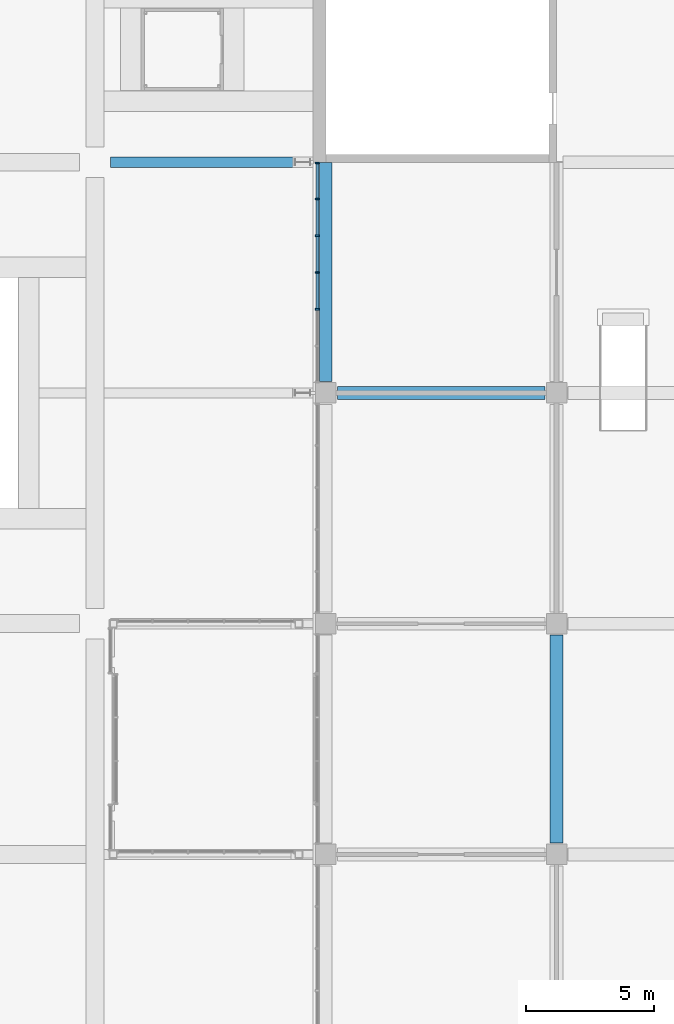
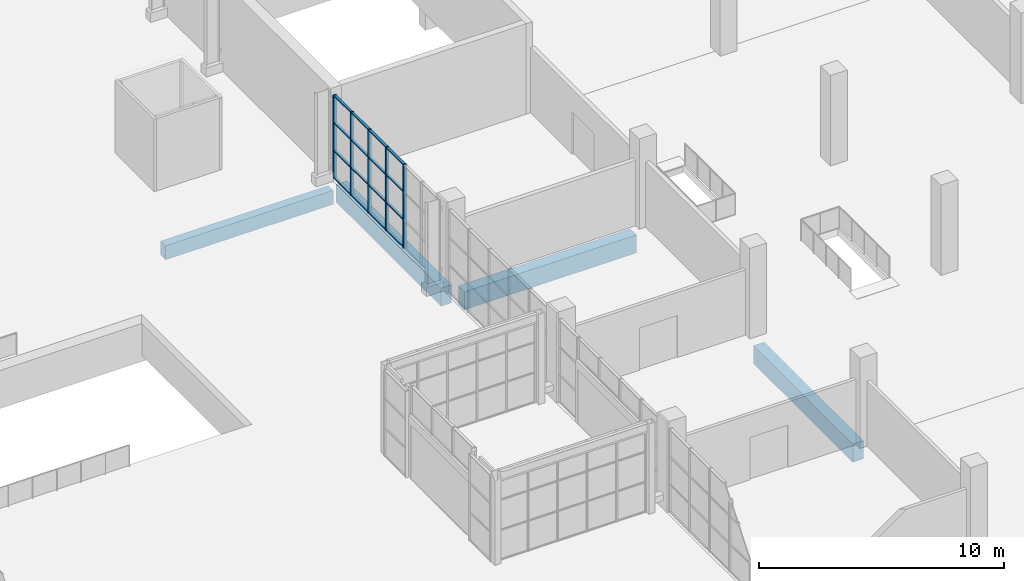
# One storey, part 41 of 168: 21 members, 4 beams, 1 element without a shape of its own.
"""IFC4 building model written with IfcOpenShell, lengths in metres."""

from ifc_helpers import new_model, si_unit, direction, frame, origin, origin_2d, place, context, subcontext, project, spatial, rectangle, extrude, material, material_profile, profile_set, type_object, element, aggregate, save


model = new_model("IFC4")

# Units and contexts
model_context = context("Model", 3, precision=1e-05, world=origin(), true_north=direction((0.0, 1.0)))
body_context = subcontext(model_context, "Body", "Model", "MODEL_VIEW")
ifc_project = project(units=[si_unit("LENGTHUNIT", "METRE"), si_unit("AREAUNIT", "SQUARE_METRE"), si_unit("VOLUMEUNIT", "CUBIC_METRE"), si_unit("PLANEANGLEUNIT", "RADIAN"), si_unit("MASSUNIT", "GRAM", prefix="KILO")], contexts=[model_context])

# Site, building, storey
site_placement = place(None, origin())
site = spatial("IfcSite", under=ifc_project, at=site_placement, CompositionType="ELEMENT")
building_placement = place(site_placement, origin())
building = spatial("IfcBuilding", under=site, at=building_placement, Name="Silverbay Arena", CompositionType="ELEMENT")
storey_placement = place(building_placement, frame((0.0, 0.0, 7.0)))
storey = spatial("IfcBuildingStorey", under=building, at=storey_placement, Name="L01", CompositionType="ELEMENT", Elevation=7.0)

# Curtain wall, members
ifc_material_1 = material(Name="Aluminium framed curtain wall", Category="aluminium")
curtain_wall_type = type_object("IfcCurtainWallType", Name="Curtain wall 8600 x 4150", PredefinedType="NOTDEFINED", material=ifc_material_1)
curtain_wall_placement = place(storey_placement, origin())
curtain_wall = element("IfcCurtainWall", 1, at=curtain_wall_placement, inside=storey, type_object=curtain_wall_type, Name="West curtain wall L01 bay 12", PredefinedType="NOTDEFINED")
ifc_material_2 = material(Name="Aluminium", Category="aluminium")
ifc_material_profile_1 = material_profile(ifc_material_2, rectangle(XDim=0.159912109375, YDim=0.06005859375, at=origin_2d()), Name="Mullion 60 x 160")
ifc_profile_set_1 = profile_set([ifc_material_profile_1], Name="Aluminium")
member_type_1 = type_object("IfcMemberType", Name="Mullion 60 x 160", PredefinedType="MULLION", material=ifc_profile_set_1)
member_1_placement = place(storey_placement, frame((26.669921875, 125.969970703125, 0.0), z_axis=(0.0, 0.0, 1.0), x_axis=(1.0, 0.0, 0.0)))
member_1 = element("IfcMember", 2, at=member_1_placement, type_object=member_type_1, Name="CW6 mullion 1", PredefinedType="MULLION", context=body_context, shape_type="SweptSolid", body=[
    extrude(rectangle(XDim=0.159912109375, YDim=0.06005859375, at=origin_2d()), origin(), (0.0, 0.0, 1.0), 4.14990234375),
])
member_2_placement = place(storey_placement, frame((26.669921875, 124.566650390625, 0.0), z_axis=(0.0, 0.0, 1.0), x_axis=(1.0, 0.0, 0.0)))
member_2 = element("IfcMember", 3, at=member_2_placement, type_object=member_type_1, Name="CW6 mullion 2", PredefinedType="MULLION", context=body_context, shape_type="SweptSolid", body=[
    extrude(rectangle(XDim=0.159912109375, YDim=0.06005859375, at=origin_2d()), origin(), (0.0, 0.0, 1.0), 4.14990234375),
])
member_3_placement = place(storey_placement, frame((26.669921875, 123.13330078125, 0.0), z_axis=(0.0, 0.0, 1.0), x_axis=(1.0, 0.0, 0.0)))
member_3 = element("IfcMember", 4, at=member_3_placement, type_object=member_type_1, Name="CW6 mullion 3", PredefinedType="MULLION", context=body_context, shape_type="SweptSolid", body=[
    extrude(rectangle(XDim=0.159912109375, YDim=0.06005859375, at=origin_2d()), origin(), (0.0, 0.0, 1.0), 4.14990234375),
])
member_4_placement = place(storey_placement, frame((26.669921875, 121.699951171875, 0.0), z_axis=(0.0, 0.0, 1.0), x_axis=(1.0, 0.0, 0.0)))
member_4 = element("IfcMember", 5, at=member_4_placement, type_object=member_type_1, Name="CW6 mullion 4", PredefinedType="MULLION", context=body_context, shape_type="SweptSolid", body=[
    extrude(rectangle(XDim=0.159912109375, YDim=0.06005859375, at=origin_2d()), origin(), (0.0, 0.0, 1.0), 4.14990234375),
])
member_5_placement = place(storey_placement, frame((26.669921875, 120.2666015625, 0.0), z_axis=(0.0, 0.0, 1.0), x_axis=(1.0, 0.0, 0.0)))
member_5 = element("IfcMember", 6, at=member_5_placement, type_object=member_type_1, Name="CW6 mullion 5", PredefinedType="MULLION", context=body_context, shape_type="SweptSolid", body=[
    extrude(rectangle(XDim=0.159912109375, YDim=0.06005859375, at=origin_2d()), origin(), (0.0, 0.0, 1.0), 4.14990234375),
])

# Beams
ifc_material_3 = material(Name="Concrete Grade C45", Category="concrete")
ifc_material_profile_2 = material_profile(ifc_material_3, rectangle(XDim=0.39990234375, YDim=0.699951171875, at=origin_2d()), Name="RC 400x700")
ifc_profile_set_2 = profile_set([ifc_material_profile_2], Name="Concrete Grade C45")
beam_type_1 = type_object("IfcBeamType", Name="RC beam 400x700", PredefinedType="BEAM", material=ifc_profile_set_2)
beam_1_placement = place(storey_placement, frame((18.60009765625, 126.0, -0.800048828125), z_axis=(1.0, 0.0, 0.0), x_axis=(0.0, 1.0, 0.0)))
element("IfcBeam", 7, at=beam_1_placement, inside=storey, type_object=beam_type_1, Name="Deck row beam 092", PredefinedType="BEAM", context=body_context, shape_type="SweptSolid", body=[
    extrude(rectangle(XDim=0.39990234375, YDim=0.699951171875, at=origin_2d()), origin(), (0.0, 0.0, 1.0), 7.89990234375),
])
ifc_material_4 = material(Name="Concrete Grade C45", Category="concrete")
ifc_material_profile_3 = material_profile(ifc_material_4, rectangle(XDim=0.5, YDim=0.89990234375, at=origin_2d()), Name="RC 500x900")
ifc_profile_set_3 = profile_set([ifc_material_profile_3], Name="Concrete Grade C45")
beam_type_2 = type_object("IfcBeamType", Name="RC beam 500x900", PredefinedType="BEAM", material=ifc_profile_set_3)
beam_2_placement = place(storey_placement, frame((27.449951171875, 117.0, -0.800048828125), z_axis=(1.0, 0.0, 0.0), x_axis=(0.0, 1.0, 0.0)))
element("IfcBeam", 8, at=beam_2_placement, inside=storey, type_object=beam_type_2, Name="Floor beam L01 136", PredefinedType="BEAM", context=body_context, shape_type="SweptSolid", body=[
    extrude(rectangle(XDim=0.5, YDim=0.89990234375, at=origin_2d()), origin(), (0.0, 0.0, 1.0), 8.10009765625),
])
beam_3_placement = place(storey_placement, frame((27.0, 117.449951171875, -0.800048828125), z_axis=(0.0, 1.0, 0.0), x_axis=(-1.0, 0.0, 0.0)))
element("IfcBeam", 9, at=beam_3_placement, inside=storey, type_object=beam_type_2, Name="Floor beam L01 190", PredefinedType="BEAM", context=body_context, shape_type="SweptSolid", body=[
    extrude(rectangle(XDim=0.5, YDim=0.89990234375, at=origin_2d()), origin(), (0.0, 0.0, 1.0), 8.550048828125),
])
beam_4_placement = place(storey_placement, frame((36.0, 99.449951171875, -0.800048828125), z_axis=(0.0, 1.0, 0.0), x_axis=(-1.0, 0.0, 0.0)))
element("IfcBeam", 10, at=beam_4_placement, inside=storey, type_object=beam_type_2, Name="Floor beam L01 198", PredefinedType="BEAM", context=body_context, shape_type="SweptSolid", body=[
    extrude(rectangle(XDim=0.5, YDim=0.89990234375, at=origin_2d()), origin(), (0.0, 0.0, 1.0), 8.10009765625),
])

# Member
ifc_material_5 = material(Name="Aluminium", Category="aluminium")
ifc_material_profile_4 = material_profile(ifc_material_5, rectangle(XDim=0.1201171875, YDim=0.050048828125, at=origin_2d()), Name="Transom 50 x 120")
ifc_profile_set_4 = profile_set([ifc_material_profile_4], Name="Aluminium")
member_type_2 = type_object("IfcMemberType", Name="Transom 50 x 120", PredefinedType="USERDEFINED", material=ifc_profile_set_4)
member_6_placement = place(storey_placement, frame((26.669921875, 125.93994140625, 0.02490234375), z_axis=(0.0, -1.0, 0.0), x_axis=(1.0, 0.0, 0.0)))
member_6 = element("IfcMember", 11, at=member_6_placement, type_object=member_type_2, Name="CW6 transom 1.1", ObjectType="TRANSOM", PredefinedType="USERDEFINED", context=body_context, shape_type="SweptSolid", body=[
    extrude(rectangle(XDim=0.1201171875, YDim=0.050048828125, at=origin_2d()), origin(), (0.0, 0.0, 1.0), 1.34326171875),
])

member_7_placement = place(storey_placement, frame((26.669921875, 125.93994140625, 1.38330078125), z_axis=(0.0, -1.0, 0.0), x_axis=(1.0, 0.0, 0.0)))
member_7 = element("IfcMember", 12, at=member_7_placement, type_object=member_type_2, Name="CW6 transom 1.2", ObjectType="TRANSOM", PredefinedType="USERDEFINED", context=body_context, shape_type="SweptSolid", body=[
    extrude(rectangle(XDim=0.1201171875, YDim=0.050048828125, at=origin_2d()), origin(), (0.0, 0.0, 1.0), 1.34326171875),
])

member_8_placement = place(storey_placement, frame((26.669921875, 125.93994140625, 2.7666015625), z_axis=(0.0, -1.0, 0.0), x_axis=(1.0, 0.0, 0.0)))
member_8 = element("IfcMember", 13, at=member_8_placement, type_object=member_type_2, Name="CW6 transom 1.3", ObjectType="TRANSOM", PredefinedType="USERDEFINED", context=body_context, shape_type="SweptSolid", body=[
    extrude(rectangle(XDim=0.1201171875, YDim=0.050048828125, at=origin_2d()), origin(), (0.0, 0.0, 1.0), 1.34326171875),
])

member_9_placement = place(storey_placement, frame((26.669921875, 125.93994140625, 4.125), z_axis=(0.0, -1.0, 0.0), x_axis=(1.0, 0.0, 0.0)))
member_9 = element("IfcMember", 14, at=member_9_placement, type_object=member_type_2, Name="CW6 transom 1.4", ObjectType="TRANSOM", PredefinedType="USERDEFINED", context=body_context, shape_type="SweptSolid", body=[
    extrude(rectangle(XDim=0.1201171875, YDim=0.050048828125, at=origin_2d()), origin(), (0.0, 0.0, 1.0), 1.34326171875),
])

member_10_placement = place(storey_placement, frame((26.669921875, 124.53662109375, 0.02490234375), z_axis=(0.0, -1.0, 0.0), x_axis=(1.0, 0.0, 0.0)))
member_10 = element("IfcMember", 15, at=member_10_placement, type_object=member_type_2, Name="CW6 transom 2.1", ObjectType="TRANSOM", PredefinedType="USERDEFINED", context=body_context, shape_type="SweptSolid", body=[
    extrude(rectangle(XDim=0.1201171875, YDim=0.050048828125, at=origin_2d()), origin(), (0.0, 0.0, 1.0), 1.373291015625),
])

member_11_placement = place(storey_placement, frame((26.669921875, 124.53662109375, 1.38330078125), z_axis=(0.0, -1.0, 0.0), x_axis=(1.0, 0.0, 0.0)))
member_11 = element("IfcMember", 16, at=member_11_placement, type_object=member_type_2, Name="CW6 transom 2.2", ObjectType="TRANSOM", PredefinedType="USERDEFINED", context=body_context, shape_type="SweptSolid", body=[
    extrude(rectangle(XDim=0.1201171875, YDim=0.050048828125, at=origin_2d()), origin(), (0.0, 0.0, 1.0), 1.373291015625),
])

member_12_placement = place(storey_placement, frame((26.669921875, 124.53662109375, 2.7666015625), z_axis=(0.0, -1.0, 0.0), x_axis=(1.0, 0.0, 0.0)))
member_12 = element("IfcMember", 17, at=member_12_placement, type_object=member_type_2, Name="CW6 transom 2.3", ObjectType="TRANSOM", PredefinedType="USERDEFINED", context=body_context, shape_type="SweptSolid", body=[
    extrude(rectangle(XDim=0.1201171875, YDim=0.050048828125, at=origin_2d()), origin(), (0.0, 0.0, 1.0), 1.373291015625),
])

member_13_placement = place(storey_placement, frame((26.669921875, 124.53662109375, 4.125), z_axis=(0.0, -1.0, 0.0), x_axis=(1.0, 0.0, 0.0)))
member_13 = element("IfcMember", 18, at=member_13_placement, type_object=member_type_2, Name="CW6 transom 2.4", ObjectType="TRANSOM", PredefinedType="USERDEFINED", context=body_context, shape_type="SweptSolid", body=[
    extrude(rectangle(XDim=0.1201171875, YDim=0.050048828125, at=origin_2d()), origin(), (0.0, 0.0, 1.0), 1.373291015625),
])

member_14_placement = place(storey_placement, frame((26.669921875, 123.103271484375, 0.02490234375), z_axis=(0.0, -1.0, 0.0), x_axis=(1.0, 0.0, 0.0)))
member_14 = element("IfcMember", 19, at=member_14_placement, type_object=member_type_2, Name="CW6 transom 3.1", ObjectType="TRANSOM", PredefinedType="USERDEFINED", context=body_context, shape_type="SweptSolid", body=[
    extrude(rectangle(XDim=0.1201171875, YDim=0.050048828125, at=origin_2d()), origin(), (0.0, 0.0, 1.0), 1.373291015625),
])

member_15_placement = place(storey_placement, frame((26.669921875, 123.103271484375, 1.38330078125), z_axis=(0.0, -1.0, 0.0), x_axis=(1.0, 0.0, 0.0)))
member_15 = element("IfcMember", 20, at=member_15_placement, type_object=member_type_2, Name="CW6 transom 3.2", ObjectType="TRANSOM", PredefinedType="USERDEFINED", context=body_context, shape_type="SweptSolid", body=[
    extrude(rectangle(XDim=0.1201171875, YDim=0.050048828125, at=origin_2d()), origin(), (0.0, 0.0, 1.0), 1.373291015625),
])

member_16_placement = place(storey_placement, frame((26.669921875, 123.103271484375, 2.7666015625), z_axis=(0.0, -1.0, 0.0), x_axis=(1.0, 0.0, 0.0)))
member_16 = element("IfcMember", 21, at=member_16_placement, type_object=member_type_2, Name="CW6 transom 3.3", ObjectType="TRANSOM", PredefinedType="USERDEFINED", context=body_context, shape_type="SweptSolid", body=[
    extrude(rectangle(XDim=0.1201171875, YDim=0.050048828125, at=origin_2d()), origin(), (0.0, 0.0, 1.0), 1.373291015625),
])

member_17_placement = place(storey_placement, frame((26.669921875, 123.103271484375, 4.125), z_axis=(0.0, -1.0, 0.0), x_axis=(1.0, 0.0, 0.0)))
member_17 = element("IfcMember", 22, at=member_17_placement, type_object=member_type_2, Name="CW6 transom 3.4", ObjectType="TRANSOM", PredefinedType="USERDEFINED", context=body_context, shape_type="SweptSolid", body=[
    extrude(rectangle(XDim=0.1201171875, YDim=0.050048828125, at=origin_2d()), origin(), (0.0, 0.0, 1.0), 1.373291015625),
])

member_18_placement = place(storey_placement, frame((26.669921875, 121.669921875, 0.02490234375), z_axis=(0.0, -1.0, 0.0), x_axis=(1.0, 0.0, 0.0)))
member_18 = element("IfcMember", 23, at=member_18_placement, type_object=member_type_2, Name="CW6 transom 4.1", ObjectType="TRANSOM", PredefinedType="USERDEFINED", context=body_context, shape_type="SweptSolid", body=[
    extrude(rectangle(XDim=0.1201171875, YDim=0.050048828125, at=origin_2d()), origin(), (0.0, 0.0, 1.0), 1.373291015625),
])

member_19_placement = place(storey_placement, frame((26.669921875, 121.669921875, 1.38330078125), z_axis=(0.0, -1.0, 0.0), x_axis=(1.0, 0.0, 0.0)))
member_19 = element("IfcMember", 24, at=member_19_placement, type_object=member_type_2, Name="CW6 transom 4.2", ObjectType="TRANSOM", PredefinedType="USERDEFINED", context=body_context, shape_type="SweptSolid", body=[
    extrude(rectangle(XDim=0.1201171875, YDim=0.050048828125, at=origin_2d()), origin(), (0.0, 0.0, 1.0), 1.373291015625),
])

member_20_placement = place(storey_placement, frame((26.669921875, 121.669921875, 2.7666015625), z_axis=(0.0, -1.0, 0.0), x_axis=(1.0, 0.0, 0.0)))
member_20 = element("IfcMember", 25, at=member_20_placement, type_object=member_type_2, Name="CW6 transom 4.3", ObjectType="TRANSOM", PredefinedType="USERDEFINED", context=body_context, shape_type="SweptSolid", body=[
    extrude(rectangle(XDim=0.1201171875, YDim=0.050048828125, at=origin_2d()), origin(), (0.0, 0.0, 1.0), 1.373291015625),
])

member_21_placement = place(storey_placement, frame((26.669921875, 121.669921875, 4.125), z_axis=(0.0, -1.0, 0.0), x_axis=(1.0, 0.0, 0.0)))
member_21 = element("IfcMember", 26, at=member_21_placement, type_object=member_type_2, Name="CW6 transom 4.4", ObjectType="TRANSOM", PredefinedType="USERDEFINED", context=body_context, shape_type="SweptSolid", body=[
    extrude(rectangle(XDim=0.1201171875, YDim=0.050048828125, at=origin_2d()), origin(), (0.0, 0.0, 1.0), 1.373291015625),
])

aggregate(curtain_wall, [member_1, member_2, member_3, member_4, member_5, member_6, member_7, member_8, member_9, member_10, member_11, member_12, member_13, member_14, member_15, member_16, member_17, member_18, member_19, member_20, member_21])

save(model, "model.ifc")
